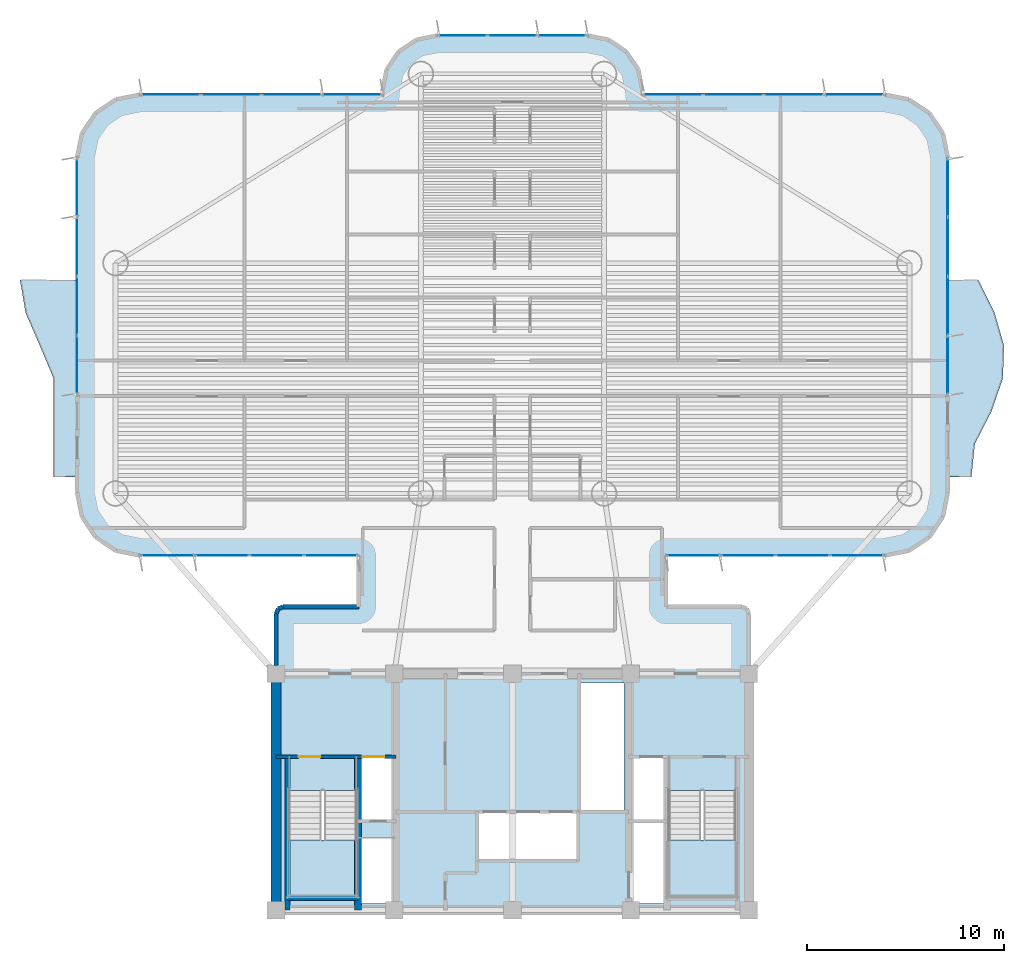
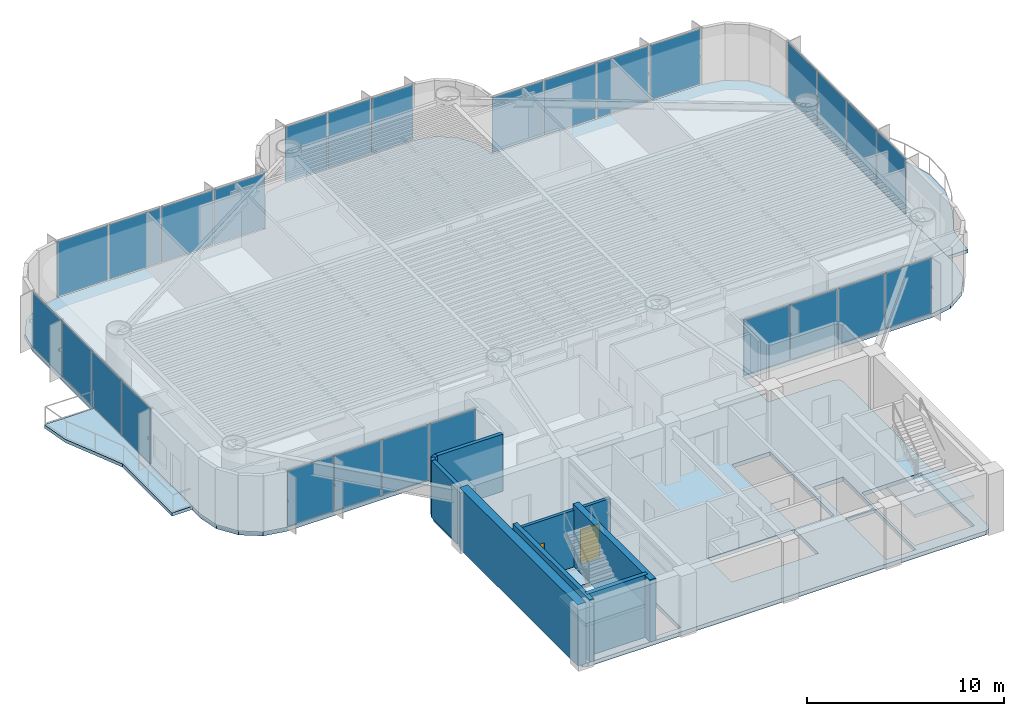
# One storey, part 8 of 16: 27 plates, 9 walls, 5 slabs, 2 doors, 2 openings, 9 elements without a shape of their own.
"""IFC4 building model written with IfcOpenShell, lengths in metres."""

from ifc_helpers import new_model, si_unit, direction, frame, frame_2d, origin, origin_2d, place, context, subcontext, project, spatial, polyline, rectangle, outline, extrude, source, transform, mapped, material, layer, layer_set, type_object, element, fill, aggregate, save


model = new_model("IFC4")

# Units and contexts
model_context = context("Model", 3, precision=1e-05, world=origin(), true_north=direction((0.0, 1.0)))
body_context = subcontext(model_context, "Body", "Model", "MODEL_VIEW")
ifc_project = project(units=[si_unit("LENGTHUNIT", "METRE"), si_unit("AREAUNIT", "SQUARE_METRE"), si_unit("VOLUMEUNIT", "CUBIC_METRE"), si_unit("PLANEANGLEUNIT", "RADIAN"), si_unit("MASSUNIT", "GRAM", prefix="KILO")], contexts=[model_context])

# Site, building, storey
site_placement = place(None, origin())
site = spatial("IfcSite", under=ifc_project, at=site_placement, CompositionType="ELEMENT")
building_placement = place(site_placement, origin())
building = spatial("IfcBuilding", under=site, at=building_placement, Name="Brelvock Crest Care Tower", CompositionType="ELEMENT")
storey_placement = place(building_placement, frame((0.0, 0.0, 104.93994140625)))
storey = spatial("IfcBuildingStorey", under=building, at=storey_placement, Name="L26", CompositionType="ELEMENT", Elevation=104.93994140625)

# Slabs
ifc_material_1 = material(Name="Concrete N50 (50 MPa)", Category="concrete")
ifc_layer_1 = layer(ifc_material_1, 0.25, Name="SLB-FL3")
ifc_layer_set_1 = layer_set([ifc_layer_1], Name="Concrete N50 (50 MPa)")
slab_type_1 = type_object("IfcSlabType", Name="SLB-FL3", PredefinedType="FLOOR", material=ifc_layer_set_1)
slab_1_placement = place(storey_placement, frame((0.0, 0.0, -0.25)))
element("IfcSlab", 1, at=slab_1_placement, inside=storey, type_object=slab_type_1, Name="L26 Main Structural Slab", PredefinedType="FLOOR", context=body_context, shape_type="SweptSolid", body=[
    extrude(outline(polyline([(47.64990234375, 21.39990234375), (43.800048828125, 21.39990234375), (43.800048828125, 24.0), (54.89990234375, 24.0), (56.12451171875, 24.24365234375), (57.16259765625, 24.937255859375), (57.8564453125, 25.975341796875), (58.10009765625, 27.199951171875), (58.10009765625, 44.199951171875), (57.8564453125, 45.424560546875), (57.16259765625, 46.462646484375), (56.12451171875, 47.156494140625), (54.89990234375, 47.39990234375), (42.60009765625, 47.39990234375), (42.60009765625, 47.60009765625), (42.386962890625, 48.67138671875), (41.77978515625, 49.579833984375), (40.87158203125, 50.18701171875), (39.800048828125, 50.39990234375), (32.199951171875, 50.39990234375), (31.12841796875, 50.18701171875), (30.22021484375, 49.579833984375), (29.613037109375, 48.67138671875), (29.39990234375, 47.60009765625), (29.39990234375, 47.39990234375), (17.10009765625, 47.39990234375), (15.87548828125, 47.156494140625), (14.83740234375, 46.462646484375), (14.1435546875, 45.424560546875), (13.89990234375, 44.199951171875), (13.89990234375, 27.199951171875), (14.1435546875, 25.975341796875), (14.83740234375, 24.937255859375), (15.87548828125, 24.24365234375), (17.10009765625, 24.0), (28.199951171875, 24.0), (28.199951171875, 21.39990234375), (24.35009765625, 21.39990234375), (24.1025390625, 21.297607421875), (24.0, 21.050048828125), (24.0, 6.35009765625), (24.1025390625, 6.1025390625), (24.35009765625, 6.0), (47.64990234375, 6.0), (47.8974609375, 6.1025390625), (48.0, 6.35009765625), (48.0, 21.050048828125), (47.8974609375, 21.297607421875), (47.64990234375, 21.39990234375)]), holes=[polyline([(28.239990234375, 10.580078125), (29.97998046875, 10.580078125), (29.97998046875, 13.739990234375), (28.239990234375, 13.739990234375), (28.239990234375, 10.580078125)]), polyline([(42.02001953125, 10.580078125), (43.760009765625, 10.580078125), (43.760009765625, 13.739990234375), (42.02001953125, 13.739990234375), (42.02001953125, 10.580078125)]), polyline([(28.239990234375, 6.340087890625), (29.97998046875, 6.340087890625), (29.97998046875, 9.64990234375), (28.239990234375, 9.64990234375), (28.239990234375, 6.340087890625)]), polyline([(24.6298828125, 12.080078125), (24.6298828125, 6.699951171875), (28.110107421875, 6.699951171875), (28.110107421875, 12.080078125), (24.6298828125, 12.080078125)]), polyline([(43.889892578125, 12.080078125), (43.889892578125, 6.699951171875), (47.3701171875, 6.699951171875), (47.3701171875, 12.080078125), (43.889892578125, 12.080078125)]), polyline([(42.02001953125, 6.340087890625), (43.760009765625, 6.340087890625), (43.760009765625, 10.5), (42.02001953125, 10.5), (42.02001953125, 6.340087890625)]), polyline([(34.22998046875, 8.530029296875), (39.320068359375, 8.530029296875), (39.320068359375, 10.969970703125), (34.22998046875, 10.969970703125), (34.22998046875, 8.530029296875)]), polyline([(39.429931640625, 11.030029296875), (41.669921875, 11.030029296875), (41.669921875, 17.52001953125), (39.429931640625, 17.52001953125), (39.429931640625, 11.030029296875)])]), origin(), (0.0, 0.0, 1.0), 0.25),
])
ifc_layer_2 = layer(ifc_material_1, 0.199951171875, Name="SLB-WB2")
ifc_layer_set_2 = layer_set([ifc_layer_2], Name="Concrete N50 (50 MPa)")
slab_type_2 = type_object("IfcSlabType", Name="SLB-WB2", PredefinedType="FLOOR", material=ifc_layer_set_2)
slab_2_placement = place(storey_placement, frame((0.0, 0.0, -0.199951171875)))
element("IfcSlab", 2, at=slab_2_placement, inside=storey, type_object=slab_type_2, Name="L26 W Sinusoidal Wave Balcony Slab", PredefinedType="FLOOR", context=body_context, shape_type="SweptSolid", body=[
    extrude(outline(polyline([(13.89990234375, 38.0), (11.0, 38.0), (11.279052734375, 36.333251953125), (12.00048828125, 34.666748046875), (12.699951171875, 33.0), (12.699951171875, 31.333251953125), (12.699951171875, 29.666748046875), (12.699951171875, 28.0), (13.89990234375, 28.0), (13.89990234375, 38.0)])), origin(), (0.0, 0.0, 1.0), 0.199951171875),
])
slab_3_placement = place(storey_placement, frame((0.0, 0.0, -0.199951171875)))
element("IfcSlab", 3, at=slab_3_placement, inside=storey, type_object=slab_type_2, Name="L26 E Sinusoidal Wave Balcony Slab", PredefinedType="FLOOR", context=body_context, shape_type="SweptSolid", body=[
    extrude(outline(polyline([(58.10009765625, 28.0), (59.300048828125, 28.0), (59.473876953125, 29.666748046875), (60.324951171875, 31.333251953125), (60.897216796875, 33.0), (60.9541015625, 34.666748046875), (60.4716796875, 36.333251953125), (59.64990234375, 38.0), (58.10009765625, 38.0), (58.10009765625, 28.0)])), origin(), (0.0, 0.0, 1.0), 0.199951171875),
])

# Stair, slab
ifc_material_2 = material(Name="Concrete N40 (40 MPa)", Category="concrete")
stair_type = type_object("IfcStairType", Name="ST-CORE1", PredefinedType="HALF_TURN_STAIR", material=ifc_material_2)
stair_1_placement = place(storey_placement, origin())
stair_1 = element("IfcStair", 4, at=stair_1_placement, inside=storey, type_object=stair_type, Name="L26 Fire-Isolated Core Stair ST-1", PredefinedType="HALF_TURN_STAIR")
ifc_layer_3 = layer(ifc_material_2, 0.199951171875, Name="STL-1")
ifc_layer_set_3 = layer_set([ifc_layer_3], Name="Concrete N40 (40 MPa)")
slab_type_3 = type_object("IfcSlabType", Name="STL-1", PredefinedType="LANDING", material=ifc_layer_set_3)
slab_4_placement = place(storey_placement, frame((0.0, 0.0, 1.68994140625)))
slab_4 = element("IfcSlab", 5, at=slab_4_placement, type_object=slab_type_3, Name="ST-1 landing 1", PredefinedType="LANDING", context=body_context, shape_type="SweptSolid", body=[
    extrude(outline(polyline([(24.6298828125, 9.56005859375), (24.6298828125, 6.699951171875), (28.110107421875, 6.699951171875), (28.110107421875, 9.56005859375), (24.6298828125, 9.56005859375)])), origin(), (0.0, 0.0, 1.0), 0.2001953125),
])
aggregate(stair_1, [slab_4])

stair_2_placement = place(storey_placement, origin())
stair_2 = element("IfcStair", 6, at=stair_2_placement, inside=storey, type_object=stair_type, Name="L26 Fire-Isolated Core Stair ST-2", PredefinedType="HALF_TURN_STAIR")
slab_5_placement = place(storey_placement, frame((0.0, 0.0, 1.68994140625)))
slab_5 = element("IfcSlab", 7, at=slab_5_placement, type_object=slab_type_3, Name="ST-2 landing 1", PredefinedType="LANDING", context=body_context, shape_type="SweptSolid", body=[
    extrude(outline(polyline([(43.889892578125, 9.56005859375), (43.889892578125, 6.699951171875), (47.3701171875, 6.699951171875), (47.3701171875, 9.56005859375), (43.889892578125, 9.56005859375)])), origin(), (0.0, 0.0, 1.0), 0.2001953125),
])
aggregate(stair_2, [slab_5])

# Curtain wall, plates
ifc_material_3 = material(Name="Dark Glass Double Glazed Low-E", Category="glass")
ifc_layer_4 = layer(ifc_material_3, 0.2099609375, Name="CWS-3")
ifc_layer_set_4 = layer_set([ifc_layer_4], Name="Dark Glass Double Glazed Low-E")
curtain_wall_type = type_object("IfcCurtainWallType", Name="CWS-3", PredefinedType="NOTDEFINED", material=ifc_layer_set_4)
curtain_wall_1_placement = place(storey_placement, origin())
curtain_wall_1 = element("IfcCurtainWall", 8, at=curtain_wall_1_placement, inside=storey, type_object=curtain_wall_type, Name="L26 Curtain Wall E12", PredefinedType="NOTDEFINED")
ifc_layer_5 = layer(ifc_material_3, 0.031982421875, Name="CWP-V1")
ifc_layer_set_5 = layer_set([ifc_layer_5], Name="Dark Glass Double Glazed Low-E")
plate_type = type_object("IfcPlateType", Name="CWP-V1", PredefinedType="CURTAIN_PANEL", material=ifc_layer_set_5)
shared_shape_1 = source(origin(), body_context, "Body", "SweptSolid", [
    extrude(rectangle(XDim=2.68505859375, YDim=0.035888671875, at=origin_2d()), origin(), (0.0, 0.0, 1.0), 3.409912109375),
])
plate_1_placement = place(storey_placement, frame((26.797607421875, 24.0, 0.06005859375), z_axis=(0.0, 0.0, 1.0), x_axis=(-1.0, 0.0, 0.0)))
plate_1 = element("IfcPlate", 9, at=plate_1_placement, type_object=plate_type, Name="CW-3 panel 1.1", PredefinedType="CURTAIN_PANEL", context=body_context, shape_type="MappedRepresentation", body=[
    mapped(shared_shape_1, transform((0.0, 0.0, 0.0), x_axis=(1.0, 0.0, 0.0), y_axis=(0.0, 1.0, 0.0), z_axis=(0.0, 0.0, 1.0), scale=1.0)),
])
plate_2_placement = place(storey_placement, frame((18.50244140625, 24.0, 0.06005859375), z_axis=(0.0, 0.0, 1.0), x_axis=(-1.0, 0.0, 0.0)))
plate_2 = element("IfcPlate", 10, at=plate_2_placement, type_object=plate_type, Name="CW-3 panel 4.1", PredefinedType="CURTAIN_PANEL", context=body_context, shape_type="MappedRepresentation", body=[
    mapped(shared_shape_1, transform((0.0, 0.0, 0.0), x_axis=(1.0, 0.0, 0.0), y_axis=(0.0, 1.0, 0.0), z_axis=(0.0, 0.0, 1.0), scale=1.0)),
])

curtain_wall_2_placement = place(storey_placement, origin())
curtain_wall_2 = element("IfcCurtainWall", 11, at=curtain_wall_2_placement, inside=storey, type_object=curtain_wall_type, Name="L26 Curtain Wall E44", PredefinedType="NOTDEFINED")
plate_3_placement = place(storey_placement, frame((53.49755859375, 24.0, 0.06005859375), z_axis=(0.0, 0.0, 1.0), x_axis=(-1.0, 0.0, 0.0)))
plate_3 = element("IfcPlate", 12, at=plate_3_placement, type_object=plate_type, Name="CW-3 panel 1.1", PredefinedType="CURTAIN_PANEL", context=body_context, shape_type="MappedRepresentation", body=[
    mapped(shared_shape_1, transform((0.0, 0.0, 0.0), x_axis=(1.0, 0.0, 0.0), y_axis=(0.0, 1.0, 0.0), z_axis=(0.0, 0.0, 1.0), scale=1.0)),
])
plate_4_placement = place(storey_placement, frame((45.202392578125, 24.0, 0.06005859375), z_axis=(0.0, 0.0, 1.0), x_axis=(-1.0, 0.0, 0.0)))
plate_4 = element("IfcPlate", 13, at=plate_4_placement, type_object=plate_type, Name="CW-3 panel 4.1", PredefinedType="CURTAIN_PANEL", context=body_context, shape_type="MappedRepresentation", body=[
    mapped(shared_shape_1, transform((0.0, 0.0, 0.0), x_axis=(1.0, 0.0, 0.0), y_axis=(0.0, 1.0, 0.0), z_axis=(0.0, 0.0, 1.0), scale=1.0)),
])

# Plate
shared_shape_2 = source(origin(), body_context, "Body", "SweptSolid", [
    extrude(rectangle(XDim=2.715087890625, YDim=0.035888671875, at=origin_2d()), origin(), (0.0, 0.0, 1.0), 3.409912109375),
])
plate_5_placement = place(storey_placement, frame((24.03759765625, 24.0, 0.06005859375), z_axis=(0.0, 0.0, 1.0), x_axis=(-1.0, 0.0, 0.0)))
plate_5 = element("IfcPlate", 14, at=plate_5_placement, type_object=plate_type, Name="CW-3 panel 2.1", PredefinedType="CURTAIN_PANEL", context=body_context, shape_type="MappedRepresentation", body=[
    mapped(shared_shape_2, transform((0.0, 0.0, 0.0), x_axis=(1.0, 0.0, 0.0), y_axis=(0.0, 1.0, 0.0), z_axis=(0.0, 0.0, 1.0), scale=1.0)),
])

plate_6_placement = place(storey_placement, frame((21.262451171875, 24.0, 0.06005859375), z_axis=(0.0, 0.0, 1.0), x_axis=(-1.0, 0.0, 0.0)))
plate_6 = element("IfcPlate", 15, at=plate_6_placement, type_object=plate_type, Name="CW-3 panel 3.1", PredefinedType="CURTAIN_PANEL", context=body_context, shape_type="MappedRepresentation", body=[
    mapped(shared_shape_2, transform((0.0, 0.0, 0.0), x_axis=(1.0, 0.0, 0.0), y_axis=(0.0, 1.0, 0.0), z_axis=(0.0, 0.0, 1.0), scale=1.0)),
])

aggregate(curtain_wall_1, [plate_1, plate_5, plate_6, plate_2])

plate_7_placement = place(storey_placement, frame((50.737548828125, 24.0, 0.06005859375), z_axis=(0.0, 0.0, 1.0), x_axis=(-1.0, 0.0, 0.0)))
plate_7 = element("IfcPlate", 16, at=plate_7_placement, type_object=plate_type, Name="CW-3 panel 2.1", PredefinedType="CURTAIN_PANEL", context=body_context, shape_type="MappedRepresentation", body=[
    mapped(shared_shape_2, transform((0.0, 0.0, 0.0), x_axis=(1.0, 0.0, 0.0), y_axis=(0.0, 1.0, 0.0), z_axis=(0.0, 0.0, 1.0), scale=1.0)),
])

plate_8_placement = place(storey_placement, frame((47.96240234375, 24.0, 0.06005859375), z_axis=(0.0, 0.0, 1.0), x_axis=(-1.0, 0.0, 0.0)))
plate_8 = element("IfcPlate", 17, at=plate_8_placement, type_object=plate_type, Name="CW-3 panel 3.1", PredefinedType="CURTAIN_PANEL", context=body_context, shape_type="MappedRepresentation", body=[
    mapped(shared_shape_2, transform((0.0, 0.0, 0.0), x_axis=(1.0, 0.0, 0.0), y_axis=(0.0, 1.0, 0.0), z_axis=(0.0, 0.0, 1.0), scale=1.0)),
])

aggregate(curtain_wall_2, [plate_3, plate_7, plate_8, plate_4])

# Curtain wall, plates
curtain_wall_3_placement = place(storey_placement, origin())
curtain_wall_3 = element("IfcCurtainWall", 18, at=curtain_wall_3_placement, inside=storey, type_object=curtain_wall_type, Name="L26 Curtain Wall E17B", PredefinedType="NOTDEFINED")
shared_shape_3 = source(origin(), body_context, "Body", "SweptSolid", [
    extrude(rectangle(XDim=2.922607421875, YDim=0.035888671875, at=origin_2d()), origin(), (0.0, 0.0, 1.0), 3.409912109375),
])
plate_9_placement = place(storey_placement, frame((13.89990234375, 33.671142578125, 0.06005859375), z_axis=(0.0, 0.0, 1.0), x_axis=(0.0, 1.0, 0.0)))
plate_9 = element("IfcPlate", 19, at=plate_9_placement, type_object=plate_type, Name="CW-3 panel 1.1", PredefinedType="CURTAIN_PANEL", context=body_context, shape_type="MappedRepresentation", body=[
    mapped(shared_shape_3, transform((0.0, 0.0, 0.0), x_axis=(1.0, 0.0, 0.0), y_axis=(0.0, 1.0, 0.0), z_axis=(0.0, 0.0, 1.0), scale=1.0)),
])
plate_10_placement = place(storey_placement, frame((13.89990234375, 42.6787109375, 0.06005859375), z_axis=(0.0, 0.0, 1.0), x_axis=(0.0, 1.0, 0.0)))
plate_10 = element("IfcPlate", 20, at=plate_10_placement, type_object=plate_type, Name="CW-3 panel 4.1", PredefinedType="CURTAIN_PANEL", context=body_context, shape_type="MappedRepresentation", body=[
    mapped(shared_shape_3, transform((0.0, 0.0, 0.0), x_axis=(1.0, 0.0, 0.0), y_axis=(0.0, 1.0, 0.0), z_axis=(0.0, 0.0, 1.0), scale=1.0)),
])

curtain_wall_4_placement = place(storey_placement, origin())
curtain_wall_4 = element("IfcCurtainWall", 21, at=curtain_wall_4_placement, inside=storey, type_object=curtain_wall_type, Name="L26 Curtain Wall E39A", PredefinedType="NOTDEFINED")
plate_11_placement = place(storey_placement, frame((58.10009765625, 42.6787109375, 0.06005859375), z_axis=(0.0, 0.0, 1.0), x_axis=(0.0, -1.0, 0.0)))
plate_11 = element("IfcPlate", 22, at=plate_11_placement, type_object=plate_type, Name="CW-3 panel 1.1", PredefinedType="CURTAIN_PANEL", context=body_context, shape_type="MappedRepresentation", body=[
    mapped(shared_shape_3, transform((0.0, 0.0, 0.0), x_axis=(1.0, 0.0, 0.0), y_axis=(0.0, 1.0, 0.0), z_axis=(0.0, 0.0, 1.0), scale=1.0)),
])
plate_12_placement = place(storey_placement, frame((58.10009765625, 33.671142578125, 0.06005859375), z_axis=(0.0, 0.0, 1.0), x_axis=(0.0, -1.0, 0.0)))
plate_12 = element("IfcPlate", 23, at=plate_12_placement, type_object=plate_type, Name="CW-3 panel 4.1", PredefinedType="CURTAIN_PANEL", context=body_context, shape_type="MappedRepresentation", body=[
    mapped(shared_shape_3, transform((0.0, 0.0, 0.0), x_axis=(1.0, 0.0, 0.0), y_axis=(0.0, 1.0, 0.0), z_axis=(0.0, 0.0, 1.0), scale=1.0)),
])

# Plate
shared_shape_4 = source(origin(), body_context, "Body", "SweptSolid", [
    extrude(rectangle(XDim=2.952392578125, YDim=0.035888671875, at=origin_2d()), origin(), (0.0, 0.0, 1.0), 3.409912109375),
])
plate_13_placement = place(storey_placement, frame((13.89990234375, 36.668701171875, 0.06005859375), z_axis=(0.0, 0.0, 1.0), x_axis=(0.0, 1.0, 0.0)))
plate_13 = element("IfcPlate", 24, at=plate_13_placement, type_object=plate_type, Name="CW-3 panel 2.1", PredefinedType="CURTAIN_PANEL", context=body_context, shape_type="MappedRepresentation", body=[
    mapped(shared_shape_4, transform((0.0, 0.0, 0.0), x_axis=(1.0, 0.0, 0.0), y_axis=(0.0, 1.0, 0.0), z_axis=(0.0, 0.0, 1.0), scale=1.0)),
])

plate_14_placement = place(storey_placement, frame((13.89990234375, 39.68115234375, 0.06005859375), z_axis=(0.0, 0.0, 1.0), x_axis=(0.0, 1.0, 0.0)))
plate_14 = element("IfcPlate", 25, at=plate_14_placement, type_object=plate_type, Name="CW-3 panel 3.1", PredefinedType="CURTAIN_PANEL", context=body_context, shape_type="MappedRepresentation", body=[
    mapped(shared_shape_4, transform((0.0, 0.0, 0.0), x_axis=(1.0, 0.0, 0.0), y_axis=(0.0, 1.0, 0.0), z_axis=(0.0, 0.0, 1.0), scale=1.0)),
])

aggregate(curtain_wall_3, [plate_9, plate_13, plate_14, plate_10])

plate_15_placement = place(storey_placement, frame((58.10009765625, 39.68115234375, 0.06005859375), z_axis=(0.0, 0.0, 1.0), x_axis=(0.0, -1.0, 0.0)))
plate_15 = element("IfcPlate", 26, at=plate_15_placement, type_object=plate_type, Name="CW-3 panel 2.1", PredefinedType="CURTAIN_PANEL", context=body_context, shape_type="MappedRepresentation", body=[
    mapped(shared_shape_4, transform((0.0, 0.0, 0.0), x_axis=(1.0, 0.0, 0.0), y_axis=(0.0, 1.0, 0.0), z_axis=(0.0, 0.0, 1.0), scale=1.0)),
])

plate_16_placement = place(storey_placement, frame((58.10009765625, 36.668701171875, 0.06005859375), z_axis=(0.0, 0.0, 1.0), x_axis=(0.0, -1.0, 0.0)))
plate_16 = element("IfcPlate", 27, at=plate_16_placement, type_object=plate_type, Name="CW-3 panel 3.1", PredefinedType="CURTAIN_PANEL", context=body_context, shape_type="MappedRepresentation", body=[
    mapped(shared_shape_4, transform((0.0, 0.0, 0.0), x_axis=(1.0, 0.0, 0.0), y_axis=(0.0, 1.0, 0.0), z_axis=(0.0, 0.0, 1.0), scale=1.0)),
])

aggregate(curtain_wall_4, [plate_11, plate_15, plate_16, plate_12])

# Curtain wall, plates
curtain_wall_5_placement = place(storey_placement, origin())
curtain_wall_5 = element("IfcCurtainWall", 28, at=curtain_wall_5_placement, inside=storey, type_object=curtain_wall_type, Name="L26 Curtain Wall E22", PredefinedType="NOTDEFINED")
shared_shape_5 = source(origin(), body_context, "Body", "SweptSolid", [
    extrude(rectangle(XDim=2.985107421875, YDim=0.035888671875, at=origin_2d()), origin(), (0.0, 0.0, 1.0), 3.409912109375),
])
plate_17_placement = place(storey_placement, frame((18.652587890625, 47.39990234375, 0.06005859375), z_axis=(0.0, 0.0, 1.0), x_axis=(1.0, 0.0, 0.0)))
plate_17 = element("IfcPlate", 29, at=plate_17_placement, type_object=plate_type, Name="CW-3 panel 1.1", PredefinedType="CURTAIN_PANEL", context=body_context, shape_type="MappedRepresentation", body=[
    mapped(shared_shape_5, transform((0.0, 0.0, 0.0), x_axis=(1.0, 0.0, 0.0), y_axis=(0.0, 1.0, 0.0), z_axis=(0.0, 0.0, 1.0), scale=1.0)),
])
plate_18_placement = place(storey_placement, frame((27.847412109375, 47.39990234375, 0.06005859375), z_axis=(0.0, 0.0, 1.0), x_axis=(1.0, 0.0, 0.0)))
plate_18 = element("IfcPlate", 30, at=plate_18_placement, type_object=plate_type, Name="CW-3 panel 4.1", PredefinedType="CURTAIN_PANEL", context=body_context, shape_type="MappedRepresentation", body=[
    mapped(shared_shape_5, transform((0.0, 0.0, 0.0), x_axis=(1.0, 0.0, 0.0), y_axis=(0.0, 1.0, 0.0), z_axis=(0.0, 0.0, 1.0), scale=1.0)),
])

curtain_wall_6_placement = place(storey_placement, origin())
curtain_wall_6 = element("IfcCurtainWall", 31, at=curtain_wall_6_placement, inside=storey, type_object=curtain_wall_type, Name="L26 Curtain Wall E34", PredefinedType="NOTDEFINED")
plate_19_placement = place(storey_placement, frame((44.152587890625, 47.39990234375, 0.06005859375), z_axis=(0.0, 0.0, 1.0), x_axis=(1.0, 0.0, 0.0)))
plate_19 = element("IfcPlate", 32, at=plate_19_placement, type_object=plate_type, Name="CW-3 panel 1.1", PredefinedType="CURTAIN_PANEL", context=body_context, shape_type="MappedRepresentation", body=[
    mapped(shared_shape_5, transform((0.0, 0.0, 0.0), x_axis=(1.0, 0.0, 0.0), y_axis=(0.0, 1.0, 0.0), z_axis=(0.0, 0.0, 1.0), scale=1.0)),
])
plate_20_placement = place(storey_placement, frame((53.347412109375, 47.39990234375, 0.06005859375), z_axis=(0.0, 0.0, 1.0), x_axis=(1.0, 0.0, 0.0)))
plate_20 = element("IfcPlate", 33, at=plate_20_placement, type_object=plate_type, Name="CW-3 panel 4.1", PredefinedType="CURTAIN_PANEL", context=body_context, shape_type="MappedRepresentation", body=[
    mapped(shared_shape_5, transform((0.0, 0.0, 0.0), x_axis=(1.0, 0.0, 0.0), y_axis=(0.0, 1.0, 0.0), z_axis=(0.0, 0.0, 1.0), scale=1.0)),
])

# Plate
shared_shape_6 = source(origin(), body_context, "Body", "SweptSolid", [
    extrude(rectangle(XDim=3.014892578125, YDim=0.035888671875, at=origin_2d()), origin(), (0.0, 0.0, 1.0), 3.409912109375),
])
plate_21_placement = place(storey_placement, frame((21.71240234375, 47.39990234375, 0.06005859375), z_axis=(0.0, 0.0, 1.0), x_axis=(1.0, 0.0, 0.0)))
plate_21 = element("IfcPlate", 34, at=plate_21_placement, type_object=plate_type, Name="CW-3 panel 2.1", PredefinedType="CURTAIN_PANEL", context=body_context, shape_type="MappedRepresentation", body=[
    mapped(shared_shape_6, transform((0.0, 0.0, 0.0), x_axis=(1.0, 0.0, 0.0), y_axis=(0.0, 1.0, 0.0), z_axis=(0.0, 0.0, 1.0), scale=1.0)),
])

plate_22_placement = place(storey_placement, frame((24.78759765625, 47.39990234375, 0.06005859375), z_axis=(0.0, 0.0, 1.0), x_axis=(1.0, 0.0, 0.0)))
plate_22 = element("IfcPlate", 35, at=plate_22_placement, type_object=plate_type, Name="CW-3 panel 3.1", PredefinedType="CURTAIN_PANEL", context=body_context, shape_type="MappedRepresentation", body=[
    mapped(shared_shape_6, transform((0.0, 0.0, 0.0), x_axis=(1.0, 0.0, 0.0), y_axis=(0.0, 1.0, 0.0), z_axis=(0.0, 0.0, 1.0), scale=1.0)),
])

aggregate(curtain_wall_5, [plate_17, plate_21, plate_22, plate_18])

plate_23_placement = place(storey_placement, frame((47.21240234375, 47.39990234375, 0.06005859375), z_axis=(0.0, 0.0, 1.0), x_axis=(1.0, 0.0, 0.0)))
plate_23 = element("IfcPlate", 36, at=plate_23_placement, type_object=plate_type, Name="CW-3 panel 2.1", PredefinedType="CURTAIN_PANEL", context=body_context, shape_type="MappedRepresentation", body=[
    mapped(shared_shape_6, transform((0.0, 0.0, 0.0), x_axis=(1.0, 0.0, 0.0), y_axis=(0.0, 1.0, 0.0), z_axis=(0.0, 0.0, 1.0), scale=1.0)),
])

plate_24_placement = place(storey_placement, frame((50.28759765625, 47.39990234375, 0.06005859375), z_axis=(0.0, 0.0, 1.0), x_axis=(1.0, 0.0, 0.0)))
plate_24 = element("IfcPlate", 37, at=plate_24_placement, type_object=plate_type, Name="CW-3 panel 3.1", PredefinedType="CURTAIN_PANEL", context=body_context, shape_type="MappedRepresentation", body=[
    mapped(shared_shape_6, transform((0.0, 0.0, 0.0), x_axis=(1.0, 0.0, 0.0), y_axis=(0.0, 1.0, 0.0), z_axis=(0.0, 0.0, 1.0), scale=1.0)),
])

aggregate(curtain_wall_6, [plate_19, plate_23, plate_24, plate_20])

# Curtain wall, plates
curtain_wall_7_placement = place(storey_placement, origin())
curtain_wall_7 = element("IfcCurtainWall", 38, at=curtain_wall_7_placement, inside=storey, type_object=curtain_wall_type, Name="L26 Curtain Wall E28", PredefinedType="NOTDEFINED")
shared_shape_7 = source(origin(), body_context, "Body", "SweptSolid", [
    extrude(rectangle(XDim=2.443359375, YDim=0.035888671875, at=origin_2d()), origin(), (0.0, 0.0, 1.0), 3.409912109375),
])
plate_25_placement = place(storey_placement, frame((33.481689453125, 50.39990234375, 0.06005859375), z_axis=(0.0, 0.0, 1.0), x_axis=(1.0, 0.0, 0.0)))
plate_25 = element("IfcPlate", 39, at=plate_25_placement, type_object=plate_type, Name="CW-3 panel 1.1", PredefinedType="CURTAIN_PANEL", context=body_context, shape_type="MappedRepresentation", body=[
    mapped(shared_shape_7, transform((0.0, 0.0, 0.0), x_axis=(1.0, 0.0, 0.0), y_axis=(0.0, 1.0, 0.0), z_axis=(0.0, 0.0, 1.0), scale=1.0)),
])
plate_26_placement = place(storey_placement, frame((38.518310546875, 50.39990234375, 0.06005859375), z_axis=(0.0, 0.0, 1.0), x_axis=(1.0, 0.0, 0.0)))
plate_26 = element("IfcPlate", 40, at=plate_26_placement, type_object=plate_type, Name="CW-3 panel 3.1", PredefinedType="CURTAIN_PANEL", context=body_context, shape_type="MappedRepresentation", body=[
    mapped(shared_shape_7, transform((0.0, 0.0, 0.0), x_axis=(1.0, 0.0, 0.0), y_axis=(0.0, 1.0, 0.0), z_axis=(0.0, 0.0, 1.0), scale=1.0)),
])
shared_shape_8 = source(origin(), body_context, "Body", "SweptSolid", [
    extrude(rectangle(XDim=2.473388671875, YDim=0.035888671875, at=origin_2d()), origin(), (0.0, 0.0, 1.0), 3.409912109375),
])
plate_27_placement = place(storey_placement, frame((36.0, 50.39990234375, 0.06005859375), z_axis=(0.0, 0.0, 1.0), x_axis=(1.0, 0.0, 0.0)))
plate_27 = element("IfcPlate", 41, at=plate_27_placement, type_object=plate_type, Name="CW-3 panel 2.1", PredefinedType="CURTAIN_PANEL", context=body_context, shape_type="MappedRepresentation", body=[
    mapped(shared_shape_8, transform((0.0, 0.0, 0.0), x_axis=(1.0, 0.0, 0.0), y_axis=(0.0, 1.0, 0.0), z_axis=(0.0, 0.0, 1.0), scale=1.0)),
])
aggregate(curtain_wall_7, [plate_25, plate_27, plate_26])

# Walls
ifc_material_4 = material(Name="Concrete S80 (80 MPa)", Category="concrete")
ifc_layer_6 = layer(ifc_material_4, 0.5, Name="WL-CS2")
ifc_layer_set_6 = layer_set([ifc_layer_6], Name="Concrete S80 (80 MPa)")
wall_type_1 = type_object("IfcWallType", Name="WL-CS2", PredefinedType="SHEAR", material=ifc_layer_set_6)
wall_1_placement = place(storey_placement, frame((24.0, 6.0, 0.0), z_axis=(0.0, 0.0, 1.0), x_axis=(0.0, 1.0, 0.0)))
element("IfcWall", 42, at=wall_1_placement, inside=storey, type_object=wall_type_1, Name="L26 Core West Shear Wall", PredefinedType="SHEAR", context=body_context, shape_type="SweptSolid", body=[
    extrude(rectangle(XDim=12.0, YDim=0.5, at=frame_2d((6.0, 0.0))), origin(), (0.0, 0.0, 1.0), 3.780029296875),
])
ifc_layer_7 = layer(ifc_material_4, 0.35009765625, Name="WL-CS5")
ifc_layer_set_7 = layer_set([ifc_layer_7], Name="Concrete S80 (80 MPa)")
wall_type_2 = type_object("IfcWallType", Name="WL-CS5", PredefinedType="SHEAR", material=ifc_layer_set_7)
wall_2_placement = place(storey_placement, frame((28.14990234375, 6.0, 0.0), z_axis=(0.0, 0.0, 1.0), x_axis=(0.0, 1.0, 0.0)))
element("IfcWall", 43, at=wall_2_placement, inside=storey, type_object=wall_type_2, Name="L26 Core Stair ST-1 East Shear Wall", PredefinedType="SHEAR", context=body_context, shape_type="SweptSolid", body=[
    extrude(rectangle(XDim=7.780029296875, YDim=0.35009765625, at=frame_2d((3.89013671875, 0.0))), origin(), (0.0, 0.0, 1.0), 3.85009765625),
])
ifc_layer_8 = layer(ifc_material_4, 0.25, Name="WL-CS6")
ifc_layer_set_8 = layer_set([ifc_layer_8], Name="Concrete S80 (80 MPa)")
wall_type_3 = type_object("IfcWallType", Name="WL-CS6", PredefinedType="SHEAR", material=ifc_layer_set_8)
wall_3_placement = place(storey_placement, frame((24.580078125, 6.0, 0.0), z_axis=(0.0, 0.0, 1.0), x_axis=(0.0, 1.0, 0.0)))
element("IfcWall", 44, at=wall_3_placement, inside=storey, type_object=wall_type_3, Name="L26 Core Stair ST-1 West Shear Wall", PredefinedType="SHEAR", context=body_context, shape_type="SweptSolid", body=[
    extrude(rectangle(XDim=7.780029296875, YDim=0.25, at=frame_2d((3.89013671875, 0.0))), origin(), (0.0, 0.0, 1.0), 3.85009765625),
])
wall_4_placement = place(storey_placement, frame((24.580078125, 6.6201171875, 0.0), z_axis=(0.0, 0.0, 1.0), x_axis=(1.0, 0.0, 0.0)))
element("IfcWall", 45, at=wall_4_placement, inside=storey, type_object=wall_type_3, Name="L26 Core Stair ST-1 South Shear Wall", PredefinedType="SHEAR", context=body_context, shape_type="SweptSolid", body=[
    extrude(rectangle(XDim=3.56982421875, YDim=0.25, at=frame_2d((1.784912109375, 0.0))), origin(), (0.0, 0.0, 1.0), 3.85009765625),
])
ifc_material_5 = material(Name="Precast concrete N40 (40 MPa)", Category="concrete")
ifc_layer_9 = layer(ifc_material_5, 0.215087890625, Name="WL-EX2")
ifc_layer_set_9 = layer_set([ifc_layer_9], Name="Precast concrete N40 (40 MPa)")
wall_type_4 = type_object("IfcWallType", Name="WL-EX2", PredefinedType="SOLIDWALL", material=ifc_layer_set_9)
wall_5_placement = place(storey_placement, frame((24.0, 18.429931640625, 0.0), z_axis=(0.0, 0.0, 1.0), x_axis=(0.0, 1.0, 0.0)))
element("IfcWall", 46, at=wall_5_placement, inside=storey, type_object=wall_type_4, Name="L26 Rounded Corner Wall 07", PredefinedType="SOLIDWALL", context=body_context, shape_type="SweptSolid", body=[
    extrude(rectangle(XDim=2.6201171875, YDim=0.215087890625, at=frame_2d((1.31005859375, 0.0))), origin(), (0.0, 0.0, 1.0), 3.530029296875),
])
wall_6_placement = place(storey_placement, frame((24.0, 21.050048828125, 0.0), z_axis=(0.0, 0.0, 1.0), x_axis=(0.382673670509, 0.923883575944, 0.0)))
element("IfcWall", 47, at=wall_6_placement, inside=storey, type_object=wall_type_4, Name="L26 Rounded Corner Wall 08", PredefinedType="SOLIDWALL", context=body_context, shape_type="SweptSolid", body=[
    extrude(rectangle(XDim=0.26806640625, YDim=0.215087890625, at=frame_2d((0.134033203125, 0.0))), origin(), (0.0, 0.0, 1.0), 3.530029296875),
])
wall_7_placement = place(storey_placement, frame((24.1025390625, 21.297607421875, 0.0), z_axis=(0.0, 0.0, 1.0), x_axis=(0.924205486139, 0.381895560841, 0.0)))
element("IfcWall", 48, at=wall_7_placement, inside=storey, type_object=wall_type_4, Name="L26 Rounded Corner Wall 09", PredefinedType="SOLIDWALL", context=body_context, shape_type="SweptSolid", body=[
    extrude(rectangle(XDim=0.267822265625, YDim=0.215087890625, at=frame_2d((0.1337890625, 0.0))), origin(), (0.0, 0.0, 1.0), 3.530029296875),
])
wall_8_placement = place(storey_placement, frame((24.35009765625, 21.39990234375, 0.0), z_axis=(0.0, 0.0, 1.0), x_axis=(1.0, 0.0, 0.0)))
element("IfcWall", 49, at=wall_8_placement, inside=storey, type_object=wall_type_4, Name="L26 Rounded Corner Wall 10", PredefinedType="SOLIDWALL", context=body_context, shape_type="SweptSolid", body=[
    extrude(rectangle(XDim=3.849853515625, YDim=0.215087890625, at=frame_2d((1.9248046875, 0.0))), origin(), (0.0, 0.0, 1.0), 3.530029296875),
])

# Wall, openings, doors
ifc_material_6 = material(Name="Masonry Blockwork Acoustic Partition", Category="masonry")
ifc_layer_10 = layer(ifc_material_6, 0.179931640625, Name="WL-SHF1")
ifc_layer_set_10 = layer_set([ifc_layer_10], Name="Masonry Blockwork Acoustic Partition")
wall_type_5 = type_object("IfcWallType", Name="WL-SHF1", PredefinedType="PARTITIONING", material=ifc_layer_set_10)
wall_9_placement = place(storey_placement, frame((24.0, 13.780029296875, 0.0), z_axis=(0.0, 0.0, 1.0), x_axis=(1.0, 0.0, 0.0)))
wall_9 = element("IfcWall", 50, at=wall_9_placement, inside=storey, type_object=wall_type_5, Name="L26 Interior Wall WL-ST1-N-L26", PredefinedType="PARTITIONING", context=body_context, shape_type="SweptSolid", body=[
    extrude(rectangle(XDim=6.10009765625, YDim=0.179931640625, at=frame_2d((3.050048828125, 0.0))), origin(), (0.0, 0.0, 1.0), 3.5),
])
opening_1_placement = place(wall_9_placement, frame((1.14990234375, 0.0, 0.0)))
opening_1 = element("IfcOpeningElement", 51, at=opening_1_placement, cuts=wall_9, Name="Opening SD-1", PredefinedType="OPENING", context=body_context, shape_type="SweptSolid", body=[
    extrude(rectangle(XDim=1.10009765625, YDim=2.10009765625, at=origin_2d()), frame((0.550048828125, 0.10009765625, 1.050048828125), z_axis=(0.0, -1.0, 0.0), x_axis=(1.0, 0.0, 0.0)), (0.0, 0.0, 1.0), 0.199951171875),
])
opening_2_placement = place(wall_9_placement, frame((4.39990234375, 0.0, 0.0)))
opening_2 = element("IfcOpeningElement", 52, at=opening_2_placement, cuts=wall_9, Name="Opening LD", PredefinedType="OPENING", context=body_context, shape_type="SweptSolid", body=[
    extrude(rectangle(XDim=1.10009765625, YDim=2.10009765625, at=origin_2d()), frame((0.550048828125, 0.10009765625, 1.050048828125), z_axis=(0.0, -1.0, 0.0), x_axis=(1.0, 0.0, 0.0)), (0.0, 0.0, 1.0), 0.199951171875),
])
ifc_material_7 = material(Name="Steel Grade 350", Category="steel")
door_type_1 = type_object("IfcDoorType", Name="DR-ST1", OperationType="NOTDEFINED", PredefinedType="DOOR", material=ifc_material_7)
shared_shape_9 = source(origin(), body_context, "Body", "SweptSolid", [
    extrude(rectangle(XDim=1.10009765625, YDim=2.10009765625, at=origin_2d()), frame((0.550048828125, 0.02490234375, 1.050048828125), z_axis=(0.0, -1.0, 0.0), x_axis=(1.0, 0.0, 0.0)), (0.0, 0.0, 1.0), 0.050048828125),
])
door_1_placement = place(opening_1_placement, origin())
door_1 = element("IfcDoor", 53, at=door_1_placement, inside=storey, type_object=door_type_1, Name="L26 Fire Stair ST-1 Door", OperationType="SINGLE_SWING_LEFT", OverallHeight=2.10009765625, OverallWidth=1.10009765625, PredefinedType="DOOR", context=body_context, shape_type="MappedRepresentation", body=[
    mapped(shared_shape_9, transform((0.0, 0.0, 0.0), x_axis=(1.0, 0.0, 0.0), y_axis=(0.0, 1.0, 0.0), z_axis=(0.0, 0.0, 1.0), scale=1.0)),
])
fill(opening_1, door_1)
door_type_2 = type_object("IfcDoorType", Name="DR-LD1", OperationType="NOTDEFINED", PredefinedType="DOOR", material=ifc_material_7)
shared_shape_10 = source(origin(), body_context, "Body", "SweptSolid", [
    extrude(rectangle(XDim=1.10009765625, YDim=2.10009765625, at=origin_2d()), frame((0.550048828125, 0.02490234375, 1.050048828125), z_axis=(0.0, -1.0, 0.0), x_axis=(1.0, 0.0, 0.0)), (0.0, 0.0, 1.0), 0.050048828125),
])
door_2_placement = place(opening_2_placement, origin())
door_2 = element("IfcDoor", 54, at=door_2_placement, inside=storey, type_object=door_type_2, Name="L26 Firefighting Lift FFL-1 Landing Door", OperationType="SLIDING_TO_LEFT", OverallHeight=2.10009765625, OverallWidth=1.10009765625, PredefinedType="DOOR", context=body_context, shape_type="MappedRepresentation", body=[
    mapped(shared_shape_10, transform((0.0, 0.0, 0.0), x_axis=(1.0, 0.0, 0.0), y_axis=(0.0, 1.0, 0.0), z_axis=(0.0, 0.0, 1.0), scale=1.0)),
])
fill(opening_2, door_2)

save(model, "model.ifc")
